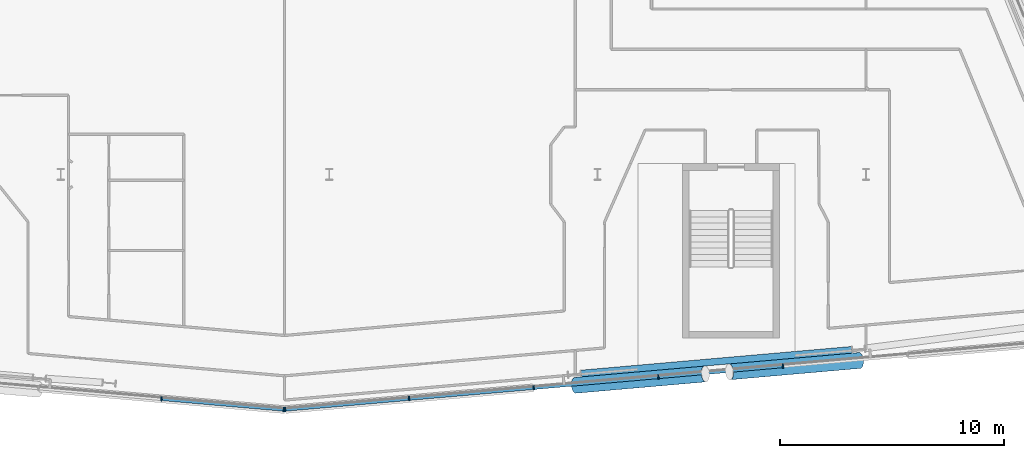
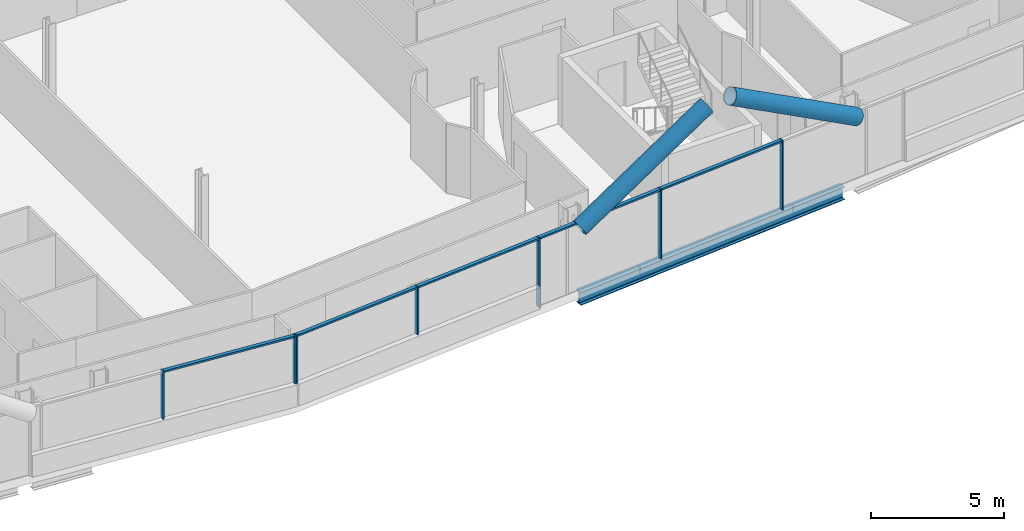
# One storey, part 8 of 27: 14 members, 1 beam, 2 elements without a shape of their own.
"""IFC4 building model written with IfcOpenShell, lengths in metres."""

from ifc_helpers import new_model, si_unit, direction, frame, origin, origin_2d, place, context, subcontext, project, spatial, rectangle, hollow_circle, i_section, extrude, material, material_profile, profile_set, type_object, element, aggregate, save


model = new_model("IFC4")

# Units and contexts
model_context = context("Model", 3, precision=1e-05, world=origin(), true_north=direction((0.0, 1.0)))
body_context = subcontext(model_context, "Body", "Model", "MODEL_VIEW")
ifc_project = project(units=[si_unit("LENGTHUNIT", "METRE"), si_unit("AREAUNIT", "SQUARE_METRE"), si_unit("VOLUMEUNIT", "CUBIC_METRE"), si_unit("PLANEANGLEUNIT", "RADIAN"), si_unit("MASSUNIT", "GRAM", prefix="KILO")], contexts=[model_context])

# Site, building, storey
site_placement = place(None, origin())
site = spatial("IfcSite", under=ifc_project, at=site_placement, CompositionType="ELEMENT")
building_placement = place(site_placement, origin())
building = spatial("IfcBuilding", under=site, at=building_placement, Name="Wharfspan Tower", CompositionType="ELEMENT")
storey_placement = place(building_placement, frame((0.0, 0.0, 191.5)))
storey = spatial("IfcBuildingStorey", under=building, at=storey_placement, Name="L47", CompositionType="ELEMENT", Elevation=191.5)

# Beam
ifc_material_1 = material(Name="Steel S355J2", Category="steel")
ifc_material_profile_1 = material_profile(ifc_material_1, i_section(OverallWidth=0.300049, OverallDepth=0.600098, WebThickness=0.015381, FlangeThickness=0.030029, FilletRadius=0.0271, at=origin_2d()))
ifc_profile_set_1 = profile_set([ifc_material_profile_1], Name="Steel S355J2")
beam_type = type_object("IfcBeamType", Name="Edge beam HEB 600", PredefinedType="SPANDREL", material=ifc_profile_set_1)
beam_placement = place(storey_placement, frame((59.265625, 2.600342, -0.699951), z_axis=(0.996195, 0.087155, 0.0), x_axis=(-0.087155, 0.996195, 0.0)))
element("IfcBeam", 1, at=beam_placement, inside=storey, type_object=beam_type, Name="Edge beam S2 L47 PS2.1 to PS2.2", PredefinedType="SPANDREL", context=body_context, shape_type="SweptSolid", body=[
    extrude(i_section(OverallWidth=0.300049, OverallDepth=0.600098, WebThickness=0.015381, FlangeThickness=0.030029, FilletRadius=0.0271, at=origin_2d()), origin(), (0.0, 0.0, 1.0), 12.137695),
])

# Curtain wall, members
ifc_material_2 = material(Name="Aluminium 6063-T6", Category="aluminium")
curtain_wall_type = type_object("IfcCurtainWallType", Name="CURTAIN WALL FACETED FRONT", PredefinedType="NOTDEFINED", material=ifc_material_2)
curtain_wall_1_placement = place(storey_placement, origin())
curtain_wall_1 = element("IfcCurtainWall", 2, at=curtain_wall_1_placement, inside=storey, type_object=curtain_wall_type, Name="Curtain wall S1", PredefinedType="NOTDEFINED")
ifc_material_profile_2 = material_profile(ifc_material_2, rectangle(XDim=0.199951, YDim=0.060059, at=origin_2d()))
ifc_profile_set_2 = profile_set([ifc_material_profile_2], Name="Aluminium 6063-T6")
member_type_1 = type_object("IfcMemberType", Name="MULLION FACETED FRONT 60x200", PredefinedType="MULLION", material=ifc_profile_set_2)
member_1_placement = place(storey_placement, frame((40.5, 1.469238, 1.0), z_axis=(0.0, 0.0, 1.0), x_axis=(0.087156, 0.996198, 0.0)))
member_1 = element("IfcMember", 3, at=member_1_placement, type_object=member_type_1, Name="Curtain wall S1 mullion 6", PredefinedType="MULLION", context=body_context, shape_type="SweptSolid", body=[
    extrude(rectangle(XDim=0.199951, YDim=0.060059, at=origin_2d()), origin(), (0.0, 0.0, 1.0), 2.199951),
])
member_2_placement = place(storey_placement, frame((45.970215, 0.990479, 1.0), z_axis=(0.0, 0.0, 1.0), x_axis=(0.087156, 0.996198, 0.0)))
member_2 = element("IfcMember", 4, at=member_2_placement, type_object=member_type_1, Name="Curtain wall S1 mullion 7", PredefinedType="MULLION", context=body_context, shape_type="SweptSolid", body=[
    extrude(rectangle(XDim=0.199951, YDim=0.060059, at=origin_2d()), origin(), (0.0, 0.0, 1.0), 2.199951),
])

curtain_wall_2_placement = place(storey_placement, origin())
curtain_wall_2 = element("IfcCurtainWall", 5, at=curtain_wall_2_placement, inside=storey, type_object=curtain_wall_type, Name="Curtain wall S2", PredefinedType="NOTDEFINED")
member_3_placement = place(storey_placement, frame((46.029785, 0.990479, 1.0), z_axis=(0.0, 0.0, 1.0), x_axis=(-0.087156, 0.996198, 0.0)))
member_3 = element("IfcMember", 6, at=member_3_placement, type_object=member_type_1, Name="Curtain wall S2 mullion 1", PredefinedType="MULLION", context=body_context, shape_type="SweptSolid", body=[
    extrude(rectangle(XDim=0.199951, YDim=0.060059, at=origin_2d()), origin(), (0.0, 0.0, 1.0), 2.199951),
])
member_4_placement = place(storey_placement, frame((51.571533, 1.475342, 1.0), z_axis=(0.0, 0.0, 1.0), x_axis=(-0.087156, 0.996198, 0.0)))
member_4 = element("IfcMember", 7, at=member_4_placement, type_object=member_type_1, Name="Curtain wall S2 mullion 2", PredefinedType="MULLION", context=body_context, shape_type="SweptSolid", body=[
    extrude(rectangle(XDim=0.199951, YDim=0.060059, at=origin_2d()), origin(), (0.0, 0.0, 1.0), 2.199951),
])
member_5_placement = place(storey_placement, frame((57.142822, 1.962891, 0.0), z_axis=(0.0, 0.0, 1.0), x_axis=(-0.087156, 0.996198, 0.0)))
member_5 = element("IfcMember", 8, at=member_5_placement, type_object=member_type_1, Name="Curtain wall S2 mullion 3", PredefinedType="MULLION", context=body_context, shape_type="SweptSolid", body=[
    extrude(rectangle(XDim=0.199951, YDim=0.060059, at=origin_2d()), origin(), (0.0, 0.0, 1.0), 3.199951),
])
member_6_placement = place(storey_placement, frame((62.714355, 2.450195, 0.0), z_axis=(0.0, 0.0, 1.0), x_axis=(-0.087156, 0.996198, 0.0)))
member_6 = element("IfcMember", 9, at=member_6_placement, type_object=member_type_1, Name="Curtain wall S2 mullion 4", PredefinedType="MULLION", context=body_context, shape_type="SweptSolid", body=[
    extrude(rectangle(XDim=0.199951, YDim=0.060059, at=origin_2d()), origin(), (0.0, 0.0, 1.0), 3.199951),
])
member_7_placement = place(storey_placement, frame((68.285645, 2.937744, 0.0), z_axis=(0.0, 0.0, 1.0), x_axis=(-0.087156, 0.996198, 0.0)))
member_7 = element("IfcMember", 10, at=member_7_placement, type_object=member_type_1, Name="Curtain wall S2 mullion 5", PredefinedType="MULLION", context=body_context, shape_type="SweptSolid", body=[
    extrude(rectangle(XDim=0.199951, YDim=0.060059, at=origin_2d()), origin(), (0.0, 0.0, 1.0), 3.199951),
])

# Members
ifc_material_3 = material(Name="Steel S460NH", Category="steel")
ifc_material_profile_3 = material_profile(ifc_material_3, hollow_circle(Radius=0.355469, WallThickness=0.035889, at=origin_2d()))
ifc_profile_set_3 = profile_set([ifc_material_profile_3], Name="Steel S460NH")
member_type_2 = type_object("IfcMemberType", Name="Mega brace CHS 711x36", PredefinedType="BRACE", material=ifc_profile_set_3)
member_8_placement = place(storey_placement, frame((59.004883, 2.070557, 2.899902), z_axis=(0.867427, 0.07588, 0.491745), x_axis=(-0.087145, 0.996197, 1e-06)))
element("IfcMember", 11, at=member_8_placement, inside=storey, type_object=member_type_2, Name="Mega brace S2 L48 part 1", PredefinedType="BRACE", context=body_context, shape_type="SweptSolid", body=[
    extrude(hollow_circle(Radius=0.355469, WallThickness=0.035889, at=origin_2d()), origin(), (0.0, 0.0, 1.0), 6.695557),
])
member_9_placement = place(storey_placement, frame((71.706055, 3.181641, 2.899902), z_axis=(-0.867436, -0.075878, 0.491729), x_axis=(0.08714, -0.996196, -2e-06)))
element("IfcMember", 12, at=member_9_placement, inside=storey, type_object=member_type_2, Name="Mega brace S2 L48 part 3", PredefinedType="BRACE", context=body_context, shape_type="SweptSolid", body=[
    extrude(hollow_circle(Radius=0.355469, WallThickness=0.035889, at=origin_2d()), origin(), (0.0, 0.0, 1.0), 6.695801),
])

# Member
ifc_material_profile_4 = material_profile(ifc_material_2, rectangle(XDim=0.159912, YDim=0.080078, at=origin_2d()))
ifc_profile_set_4 = profile_set([ifc_material_profile_4], Name="Aluminium 6063-T6")
member_type_3 = type_object("IfcMemberType", Name="TRANSOM FACETED FRONT 80x160", PredefinedType="USERDEFINED", material=ifc_profile_set_4)
member_10_placement = place(storey_placement, frame((40.529785, 1.466553, 3.159912), z_axis=(0.996194, -0.087163, 0.0), x_axis=(0.087163, 0.996194, 0.0)))
member_10 = element("IfcMember", 13, at=member_10_placement, type_object=member_type_3, Name="Curtain wall S1 transom 6", ObjectType="TRANSOM", PredefinedType="USERDEFINED", context=body_context, shape_type="SweptSolid", body=[
    extrude(rectangle(XDim=0.159912, YDim=0.080078, at=origin_2d()), origin(), (0.0, 0.0, 1.0), 5.431152),
])

aggregate(curtain_wall_1, [member_1, member_2, member_10])

member_11_placement = place(storey_placement, frame((46.059814, 0.993164, 3.159912), z_axis=(0.996196, 0.087139, 0.0), x_axis=(-0.087139, 0.996196, 0.0)))
member_11 = element("IfcMember", 14, at=member_11_placement, type_object=member_type_3, Name="Curtain wall S2 transom 1", ObjectType="TRANSOM", PredefinedType="USERDEFINED", context=body_context, shape_type="SweptSolid", body=[
    extrude(rectangle(XDim=0.159912, YDim=0.080078, at=origin_2d()), origin(), (0.0, 0.0, 1.0), 5.502686),
])

member_12_placement = place(storey_placement, frame((51.601318, 1.478027, 3.159912), z_axis=(0.996195, 0.087149, 0.0), x_axis=(-0.087149, 0.996195, 0.0)))
member_12 = element("IfcMember", 15, at=member_12_placement, type_object=member_type_3, Name="Curtain wall S2 transom 2", ObjectType="TRANSOM", PredefinedType="USERDEFINED", context=body_context, shape_type="SweptSolid", body=[
    extrude(rectangle(XDim=0.159912, YDim=0.080078, at=origin_2d()), origin(), (0.0, 0.0, 1.0), 5.532715),
])

member_13_placement = place(storey_placement, frame((57.172852, 1.965332, 3.159912), z_axis=(0.996191, 0.087197, 0.0), x_axis=(-0.087197, 0.996191, 0.0)))
member_13 = element("IfcMember", 16, at=member_13_placement, type_object=member_type_3, Name="Curtain wall S2 transom 3", ObjectType="TRANSOM", PredefinedType="USERDEFINED", context=body_context, shape_type="SweptSolid", body=[
    extrude(rectangle(XDim=0.159912, YDim=0.080078, at=origin_2d()), origin(), (0.0, 0.0, 1.0), 5.532471),
])

member_14_placement = place(storey_placement, frame((62.744141, 2.452881, 3.159912), z_axis=(0.996195, 0.087149, 0.0), x_axis=(-0.087149, 0.996195, 0.0)))
member_14 = element("IfcMember", 17, at=member_14_placement, type_object=member_type_3, Name="Curtain wall S2 transom 4", ObjectType="TRANSOM", PredefinedType="USERDEFINED", context=body_context, shape_type="SweptSolid", body=[
    extrude(rectangle(XDim=0.159912, YDim=0.080078, at=origin_2d()), origin(), (0.0, 0.0, 1.0), 5.532715),
])

aggregate(curtain_wall_2, [member_3, member_4, member_5, member_6, member_7, member_11, member_12, member_13, member_14])

save(model, "model.ifc")
